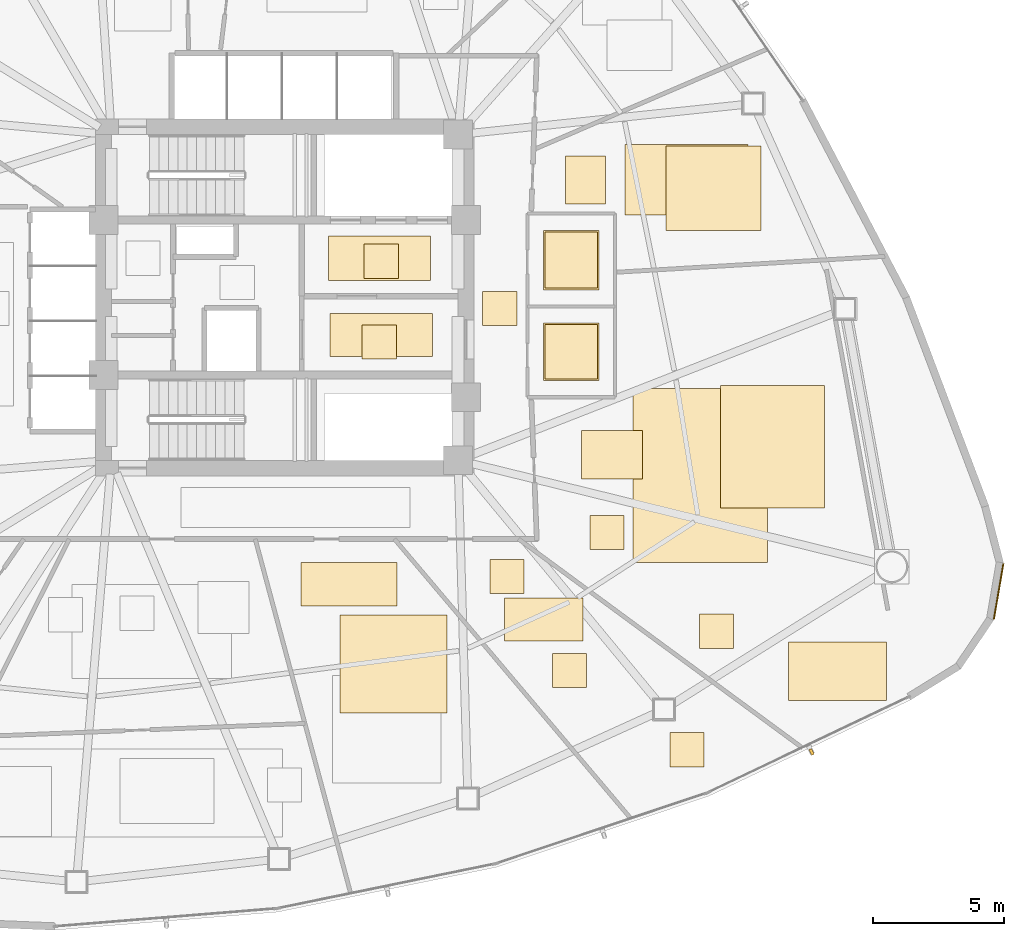
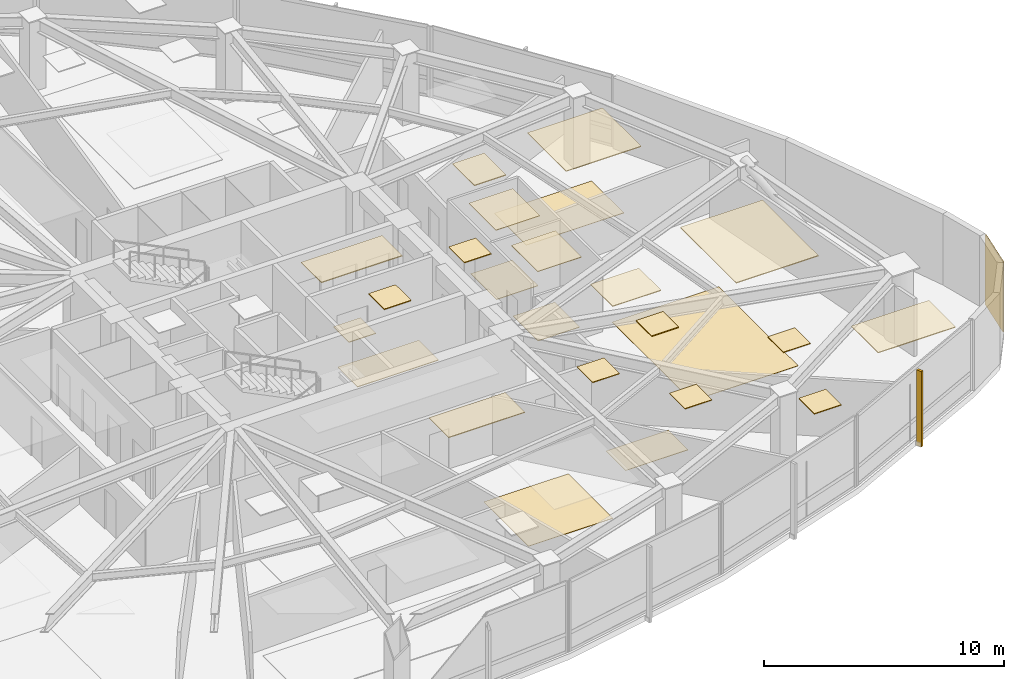
# One storey, part 17 of 18: 25 coverings, 1 shading device.
"""IFC4 building model written with IfcOpenShell, lengths in metres."""

from ifc_helpers import new_model, si_unit, direction, frame, origin, origin_2d, place, context, subcontext, project, spatial, polyline, rectangle, outline, extrude, source, transform, mapped, material, layer, layer_set, type_object, type_shapes, element, save


model = new_model("IFC4")

# Units and contexts
model_context = context("Model", 3, precision=1e-05, world=origin(), true_north=direction((0.0, 1.0)))
body_context = subcontext(model_context, "Body", "Model", "MODEL_VIEW")
ifc_project = project(units=[si_unit("LENGTHUNIT", "METRE"), si_unit("AREAUNIT", "SQUARE_METRE"), si_unit("VOLUMEUNIT", "CUBIC_METRE"), si_unit("PLANEANGLEUNIT", "RADIAN"), si_unit("MASSUNIT", "GRAM", prefix="KILO")], contexts=[model_context])

# Site, building, storey
site_placement = place(None, origin())
site = spatial("IfcSite", under=ifc_project, at=site_placement, CompositionType="ELEMENT")
building_placement = place(site_placement, origin())
building = spatial("IfcBuilding", under=site, at=building_placement, Name="Tavelor Broadcast Tower", CompositionType="ELEMENT")
storey_placement = place(building_placement, frame((0.0, 0.0, 58.800048828125)))
storey = spatial("IfcBuildingStorey", under=building, at=storey_placement, Name="L13", CompositionType="ELEMENT", Elevation=58.800048828125)

# Coverings
ifc_material_1 = material(Name="Copper-Bronze Anodized Aluminium", Category="aluminium")
ifc_layer_1 = layer(ifc_material_1, 0.044921875)
ifc_layer_set_1 = layer_set([ifc_layer_1], Name="Copper-Bronze Anodized Aluminium")
covering_type_1 = type_object("IfcCoveringType", Name="Anodised Bronze Linear Slatted Concourse Ceiling 45 mm", PredefinedType="CEILING", material=ifc_layer_set_1)
covering_1_placement = place(storey_placement, frame((0.0, 0.0, 3.554931640625)))
element("IfcCovering", 1, at=covering_1_placement, inside=storey, type_object=covering_type_1, Name="L13 Suspended Acoustic Ceiling 0490", PredefinedType="CEILING", context=body_context, shape_type="SweptSolid", body=[
    extrude(outline(polyline([(51.659912109375, 45.654296875), (55.55712890625, 45.654296875), (55.55712890625, 47.331787109375), (51.659912109375, 47.331787109375), (51.659912109375, 45.654296875)])), origin(), (0.0, 0.0, 1.0), 0.044921875),
])
covering_2_placement = place(storey_placement, frame((0.0, 0.0, 3.554931640625)))
element("IfcCovering", 2, at=covering_2_placement, inside=storey, type_object=covering_type_1, Name="L13 Suspended Acoustic Ceiling 0491", PredefinedType="CEILING", context=body_context, shape_type="SweptSolid", body=[
    extrude(outline(polyline([(52.95361328125, 42.656982421875), (54.25341796875, 42.656982421875), (54.25341796875, 43.95703125), (52.95361328125, 43.95703125), (52.95361328125, 42.656982421875)])), origin(), (0.0, 0.0, 1.0), 0.044921875),
])
covering_3_placement = place(storey_placement, frame((0.0, 0.0, 3.554931640625)))
element("IfcCovering", 3, at=covering_3_placement, inside=storey, type_object=covering_type_1, Name="L13 Suspended Acoustic Ceiling 0494", PredefinedType="CEILING", context=body_context, shape_type="SweptSolid", body=[
    extrude(outline(polyline([(57.5400390625, 43.925048828125), (58.840087890625, 43.925048828125), (58.840087890625, 45.22509765625), (57.5400390625, 45.22509765625), (57.5400390625, 43.925048828125)])), origin(), (0.0, 0.0, 1.0), 0.044921875),
])
ifc_layer_2 = layer(ifc_material_1, 0.050048828125)
ifc_layer_set_2 = layer_set([ifc_layer_2], Name="Copper-Bronze Anodized Aluminium")
covering_type_2 = type_object("IfcCoveringType", Name="Champagne-Bronze Corner Pier Metal Cladding 50 mm", PredefinedType="CLADDING", material=ifc_layer_set_2)
covering_4_placement = place(storey_placement, frame((77.184814453125, 33.80322265625, 0.02001953125), z_axis=(0.0, 0.0, 1.0), x_axis=(0.169349503849, 0.985556059058, 0.0)))
element("IfcCovering", 4, at=covering_4_placement, inside=storey, type_object=covering_type_2, Name="L13 Champagne-Bronze Corner Cladding 23", PredefinedType="CLADDING", context=body_context, shape_type="SweptSolid", body=[
    extrude(rectangle(XDim=2.137451171875, YDim=0.050048828125, at=origin_2d()), origin(), (0.0, 0.0, 1.0), 3.56005859375),
])
ifc_material_2 = material(Name="Acoustic Nylon Carpet Tile")
ifc_layer_3 = layer(ifc_material_2, 0.02001953125)
ifc_layer_set_3 = layer_set([ifc_layer_3], Name="Acoustic Nylon Carpet Tile")
covering_type_3 = type_object("IfcCoveringType", Name="Heavy-Duty Acoustic Broadcast Carpet Tile 20 mm", PredefinedType="FLOORING", material=ifc_layer_set_3)
covering_5_placement = place(storey_placement, origin())
element("IfcCovering", 5, at=covering_5_placement, inside=storey, type_object=covering_type_3, Name="L13 Broadcast Floor Finish 0185", PredefinedType="FLOORING", context=body_context, shape_type="SweptSolid", body=[
    extrude(outline(polyline([(62.962646484375, 48.146240234375), (67.647705078125, 48.146240234375), (67.647705078125, 50.8251953125), (62.962646484375, 50.8251953125), (62.962646484375, 48.146240234375)])), origin(), (0.0, 0.0, 1.0), 0.02001953125),
])
covering_6_placement = place(storey_placement, origin())
element("IfcCovering", 6, at=covering_6_placement, inside=storey, type_object=covering_type_3, Name="L13 Broadcast Floor Finish 0186", PredefinedType="FLOORING", context=body_context, shape_type="SweptSolid", body=[
    extrude(outline(polyline([(63.2646484375, 34.9091796875), (68.385009765625, 34.9091796875), (68.385009765625, 41.52978515625), (63.2646484375, 41.52978515625), (63.2646484375, 34.9091796875)])), origin(), (0.0, 0.0, 1.0), 0.02001953125),
])
covering_7_placement = place(storey_placement, origin())
element("IfcCovering", 7, at=covering_7_placement, inside=storey, type_object=covering_type_3, Name="L13 Broadcast Floor Finish 0187", PredefinedType="FLOORING", context=body_context, shape_type="SweptSolid", body=[
    extrude(outline(polyline([(58.365234375, 31.91357421875), (61.359619140625, 31.91357421875), (61.359619140625, 33.556396484375), (58.365234375, 33.556396484375), (58.365234375, 31.91357421875)])), origin(), (0.0, 0.0, 1.0), 0.02001953125),
])
covering_8_placement = place(storey_placement, origin())
element("IfcCovering", 8, at=covering_8_placement, inside=storey, type_object=covering_type_3, Name="L13 Broadcast Floor Finish 0188", PredefinedType="FLOORING", context=body_context, shape_type="SweptSolid", body=[
    extrude(outline(polyline([(52.105224609375, 29.17578125), (56.17578125, 29.17578125), (56.17578125, 32.90087890625), (52.105224609375, 32.90087890625), (52.105224609375, 29.17578125)])), origin(), (0.0, 0.0, 1.0), 0.02001953125),
])
ifc_material_3 = material(Name="Honed Natural Limestone Tile", Category="masonry")
ifc_layer_4 = layer(ifc_material_3, 0.030029296875)
ifc_layer_set_4 = layer_set([ifc_layer_4], Name="Honed Natural Limestone Tile")
covering_type_4 = type_object("IfcCoveringType", Name="Honed Jerusalem Limestone Concourse Flooring 30 mm", PredefinedType="FLOORING", material=ifc_layer_set_4)
covering_9_placement = place(storey_placement, origin())
element("IfcCovering", 9, at=covering_9_placement, inside=storey, type_object=covering_type_4, Name="L13 Broadcast Floor Finish 0172", PredefinedType="FLOORING", context=body_context, shape_type="SweptSolid", body=[
    extrude(outline(polyline([(53.030029296875, 45.728515625), (54.330078125, 45.728515625), (54.330078125, 47.028564453125), (53.030029296875, 47.028564453125), (53.030029296875, 45.728515625)])), origin(), (0.0, 0.0, 1.0), 0.030029296875),
])
covering_10_placement = place(storey_placement, origin())
element("IfcCovering", 10, at=covering_10_placement, inside=storey, type_object=covering_type_4, Name="L13 Broadcast Floor Finish 0173", PredefinedType="FLOORING", context=body_context, shape_type="SweptSolid", body=[
    extrude(outline(polyline([(51.728759765625, 42.743408203125), (55.62109375, 42.743408203125), (55.62109375, 44.396484375), (51.728759765625, 44.396484375), (51.728759765625, 42.743408203125)])), origin(), (0.0, 0.0, 1.0), 0.030029296875),
])
ifc_material_4 = material(Name="Architectural Anodized Aluminium", Category="aluminium")
ifc_layer_5 = layer(ifc_material_4, 0.030029296875)
ifc_layer_set_5 = layer_set([ifc_layer_5], Name="Architectural Anodized Aluminium")
covering_type_5 = type_object("IfcCoveringType", Name="Moisture-Resistant Washroom Ceiling 30 mm", PredefinedType="CEILING", material=ifc_layer_set_5)
covering_11_placement = place(storey_placement, frame((0.0, 0.0, 3.570068359375)))
element("IfcCovering", 11, at=covering_11_placement, inside=storey, type_object=covering_type_5, Name="L13 Suspended Acoustic Ceiling 0497", PredefinedType="CEILING", context=body_context, shape_type="SweptSolid", body=[
    extrude(outline(polyline([(59.85302734375, 41.828369140625), (61.967041015625, 41.828369140625), (61.967041015625, 44.021484375), (59.85302734375, 44.021484375), (59.85302734375, 41.828369140625)])), origin(), (0.0, 0.0, 1.0), 0.02978515625),
])
covering_12_placement = place(storey_placement, frame((0.0, 0.0, 3.570068359375)))
element("IfcCovering", 12, at=covering_12_placement, inside=storey, type_object=covering_type_5, Name="L13 Suspended Acoustic Ceiling 0498", PredefinedType="CEILING", context=body_context, shape_type="SweptSolid", body=[
    extrude(outline(polyline([(59.85302734375, 45.29248046875), (61.967041015625, 45.29248046875), (61.967041015625, 47.5576171875), (59.85302734375, 47.5576171875), (59.85302734375, 45.29248046875)])), origin(), (0.0, 0.0, 1.0), 0.02978515625),
])
ifc_material_5 = material(Name="Slip-Resistant Porcelain Tile")
ifc_layer_6 = layer(ifc_material_5, 0.02490234375)
ifc_layer_set_6 = layer_set([ifc_layer_6], Name="Slip-Resistant Porcelain Tile")
covering_type_6 = type_object("IfcCoveringType", Name="Slip-Resistant Porcelain Wet-Area Floor Tile 25 mm", PredefinedType="FLOORING", material=ifc_layer_set_6)
covering_13_placement = place(storey_placement, origin())
element("IfcCovering", 13, at=covering_13_placement, inside=storey, type_object=covering_type_6, Name="L13 Broadcast Floor Finish 0175", PredefinedType="FLOORING", context=body_context, shape_type="SweptSolid", body=[
    extrude(outline(polyline([(59.91064453125, 41.885986328125), (61.909423828125, 41.885986328125), (61.909423828125, 43.964111328125), (59.91064453125, 43.964111328125), (59.91064453125, 41.885986328125)])), origin(), (0.0, 0.0, 1.0), 0.02490234375),
])
covering_14_placement = place(storey_placement, origin())
element("IfcCovering", 14, at=covering_14_placement, inside=storey, type_object=covering_type_6, Name="L13 Broadcast Floor Finish 0176", PredefinedType="FLOORING", context=body_context, shape_type="SweptSolid", body=[
    extrude(outline(polyline([(59.91064453125, 45.35009765625), (61.909423828125, 45.35009765625), (61.909423828125, 47.5), (59.91064453125, 47.5), (59.91064453125, 45.35009765625)])), origin(), (0.0, 0.0, 1.0), 0.02490234375),
])
ifc_material_6 = material(Name="Acoustic Mineral Fibre Tile")
ifc_layer_7 = layer(ifc_material_6, 0.0400390625)
ifc_layer_set_7 = layer_set([ifc_layer_7], Name="Acoustic Mineral Fibre Tile")
covering_type_7 = type_object("IfcCoveringType", Name="Suspended Acoustic Mineral-Fibre Office Ceiling 40 mm", PredefinedType="CEILING", material=ifc_layer_set_7)
covering_15_placement = place(storey_placement, frame((0.0, 0.0, 3.56005859375)))
element("IfcCovering", 15, at=covering_15_placement, inside=storey, type_object=covering_type_7, Name="L13 Suspended Acoustic Ceiling 0525", PredefinedType="CEILING", context=body_context, shape_type="SweptSolid", body=[
    extrude(outline(polyline([(60.69677734375, 48.5615234375), (62.2197265625, 48.5615234375), (62.2197265625, 50.383544921875), (60.69677734375, 50.383544921875), (60.69677734375, 48.5615234375)])), origin(), (0.0, 0.0, 1.0), 0.039794921875),
])
covering_16_placement = place(storey_placement, frame((0.0, 0.0, 3.56005859375)))
element("IfcCovering", 16, at=covering_16_placement, inside=storey, type_object=covering_type_7, Name="L13 Suspended Acoustic Ceiling 0526", PredefinedType="CEILING", context=body_context, shape_type="SweptSolid", body=[
    extrude(outline(polyline([(64.52294921875, 47.551513671875), (68.13720703125, 47.551513671875), (68.13720703125, 50.765380859375), (64.52294921875, 50.765380859375), (64.52294921875, 47.551513671875)])), origin(), (0.0, 0.0, 1.0), 0.039794921875),
])
covering_17_placement = place(storey_placement, frame((0.0, 0.0, 3.56005859375)))
element("IfcCovering", 17, at=covering_17_placement, inside=storey, type_object=covering_type_7, Name="L13 Suspended Acoustic Ceiling 0527", PredefinedType="CEILING", context=body_context, shape_type="SweptSolid", body=[
    extrude(outline(polyline([(61.2998046875, 38.08984375), (63.6298828125, 38.08984375), (63.6298828125, 39.935546875), (61.2998046875, 39.935546875), (61.2998046875, 38.08984375)])), origin(), (0.0, 0.0, 1.0), 0.039794921875),
])
covering_18_placement = place(storey_placement, frame((0.0, 0.0, 3.56005859375)))
element("IfcCovering", 18, at=covering_18_placement, inside=storey, type_object=covering_type_7, Name="L13 Suspended Acoustic Ceiling 0528", PredefinedType="CEILING", context=body_context, shape_type="SweptSolid", body=[
    extrude(outline(polyline([(66.60400390625, 36.98828125), (70.559814453125, 36.98828125), (70.559814453125, 41.643798828125), (66.60400390625, 41.643798828125), (66.60400390625, 36.98828125)])), origin(), (0.0, 0.0, 1.0), 0.039794921875),
])
covering_19_placement = place(storey_placement, frame((0.0, 0.0, 3.56005859375)))
element("IfcCovering", 19, at=covering_19_placement, inside=storey, type_object=covering_type_7, Name="L13 Suspended Acoustic Ceiling 0529", PredefinedType="CEILING", context=body_context, shape_type="SweptSolid", body=[
    extrude(outline(polyline([(65.788818359375, 31.63818359375), (67.0888671875, 31.63818359375), (67.0888671875, 32.93798828125), (65.788818359375, 32.93798828125), (65.788818359375, 31.63818359375)])), origin(), (0.0, 0.0, 1.0), 0.039794921875),
])
covering_20_placement = place(storey_placement, frame((0.0, 0.0, 3.56005859375)))
element("IfcCovering", 20, at=covering_20_placement, inside=storey, type_object=covering_type_7, Name="L13 Suspended Acoustic Ceiling 0530", PredefinedType="CEILING", context=body_context, shape_type="SweptSolid", body=[
    extrude(outline(polyline([(69.187744140625, 29.647705078125), (72.9169921875, 29.647705078125), (72.9169921875, 31.87646484375), (69.187744140625, 31.87646484375), (69.187744140625, 29.647705078125)])), origin(), (0.0, 0.0, 1.0), 0.039794921875),
])
covering_21_placement = place(storey_placement, frame((0.0, 0.0, 3.56005859375)))
element("IfcCovering", 21, at=covering_21_placement, inside=storey, type_object=covering_type_7, Name="L13 Suspended Acoustic Ceiling 0531", PredefinedType="CEILING", context=body_context, shape_type="SweptSolid", body=[
    extrude(outline(polyline([(61.626220703125, 35.40576171875), (62.92626953125, 35.40576171875), (62.92626953125, 36.705810546875), (61.626220703125, 36.705810546875), (61.626220703125, 35.40576171875)])), origin(), (0.0, 0.0, 1.0), 0.039794921875),
])
covering_22_placement = place(storey_placement, frame((0.0, 0.0, 3.56005859375)))
element("IfcCovering", 22, at=covering_22_placement, inside=storey, type_object=covering_type_7, Name="L13 Suspended Acoustic Ceiling 0532", PredefinedType="CEILING", context=body_context, shape_type="SweptSolid", body=[
    extrude(outline(polyline([(57.815673828125, 33.718505859375), (59.11572265625, 33.718505859375), (59.11572265625, 35.0185546875), (57.815673828125, 35.0185546875), (57.815673828125, 33.718505859375)])), origin(), (0.0, 0.0, 1.0), 0.039794921875),
])
covering_23_placement = place(storey_placement, frame((0.0, 0.0, 3.56005859375)))
element("IfcCovering", 23, at=covering_23_placement, inside=storey, type_object=covering_type_7, Name="L13 Suspended Acoustic Ceiling 0533", PredefinedType="CEILING", context=body_context, shape_type="SweptSolid", body=[
    extrude(outline(polyline([(64.670654296875, 27.12939453125), (65.970703125, 27.12939453125), (65.970703125, 28.429443359375), (64.670654296875, 28.429443359375), (64.670654296875, 27.12939453125)])), origin(), (0.0, 0.0, 1.0), 0.039794921875),
])
covering_24_placement = place(storey_placement, frame((0.0, 0.0, 3.56005859375)))
element("IfcCovering", 24, at=covering_24_placement, inside=storey, type_object=covering_type_7, Name="L13 Suspended Acoustic Ceiling 0534", PredefinedType="CEILING", context=body_context, shape_type="SweptSolid", body=[
    extrude(outline(polyline([(60.1904296875, 30.138671875), (61.490478515625, 30.138671875), (61.490478515625, 31.438720703125), (60.1904296875, 31.438720703125), (60.1904296875, 30.138671875)])), origin(), (0.0, 0.0, 1.0), 0.039794921875),
])
covering_25_placement = place(storey_placement, frame((0.0, 0.0, 3.56005859375)))
element("IfcCovering", 25, at=covering_25_placement, inside=storey, type_object=covering_type_7, Name="L13 Suspended Acoustic Ceiling 0535", PredefinedType="CEILING", context=body_context, shape_type="SweptSolid", body=[
    extrude(outline(polyline([(50.627197265625, 33.254638671875), (54.28466796875, 33.254638671875), (54.28466796875, 34.90478515625), (50.627197265625, 34.90478515625), (50.627197265625, 33.254638671875)])), origin(), (0.0, 0.0, 1.0), 0.039794921875),
])

# Shading device
ifc_material_7 = material(Name="Kiln-Fired Glazed Terracotta", Category="masonry")
shading_device_type = type_object("IfcShadingDeviceType", Name="Extruded Terracotta Baguette Sun-Screen 110x240", PredefinedType="JALOUSIE", material=ifc_material_7)
shared_shape = source(origin(), body_context, "Body", "SweptSolid", [
    extrude(rectangle(XDim=0.110107421875, YDim=0.239990234375, at=origin_2d()), origin(), (0.0, 0.0, 1.0), 3.840087890625),
])
type_shapes(shading_device_type, [shared_shape])
shading_device_placement = place(storey_placement, frame((70.0625, 27.69677734375, -0.26025390625), z_axis=(0.0, 0.0, 1.0), x_axis=(0.90273550608, 0.430196008887, 0.0)))
element("IfcShadingDevice", 26, at=shading_device_placement, inside=storey, type_object=shading_device_type, Name="L13 Terracotta Baguette Fin 116", PredefinedType="JALOUSIE", context=body_context, shape_type="MappedRepresentation", body=[
    mapped(shared_shape, transform((0.0, 0.0, 0.0), scale=1.0)),
])

save(model, "model.ifc")
